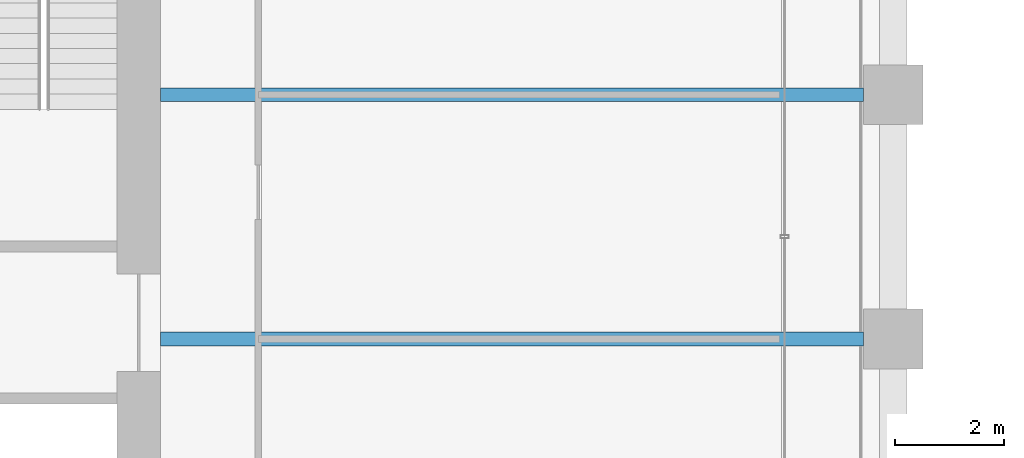
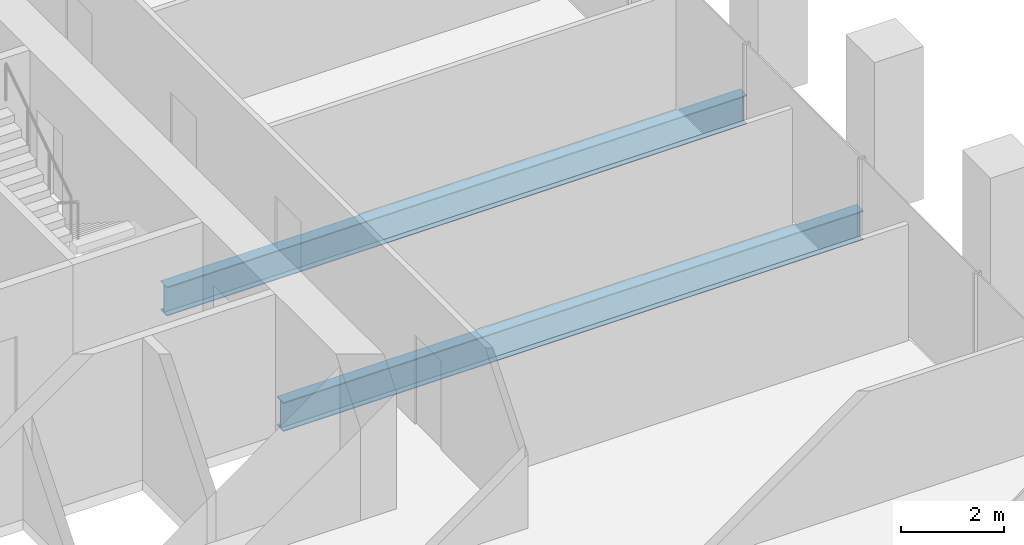
# One storey, part 19 of 56: 2 beams.
"""IFC4 building model written with IfcOpenShell, lengths in metres."""

from ifc_helpers import new_model, si_unit, direction, frame, origin, origin_2d, place, context, subcontext, project, spatial, i_section, extrude, material, material_profile, profile_set, type_object, element, save


model = new_model("IFC4")

# Units and contexts
model_context = context("Model", 3, precision=1e-05, world=origin(), true_north=direction((0.0, 1.0)))
body_context = subcontext(model_context, "Body", "Model", "MODEL_VIEW")
ifc_project = project(units=[si_unit("LENGTHUNIT", "METRE"), si_unit("AREAUNIT", "SQUARE_METRE"), si_unit("VOLUMEUNIT", "CUBIC_METRE"), si_unit("PLANEANGLEUNIT", "RADIAN"), si_unit("MASSUNIT", "GRAM", prefix="KILO")], contexts=[model_context])

# Site, building, storey
site_placement = place(None, origin())
site = spatial("IfcSite", under=ifc_project, at=site_placement, CompositionType="ELEMENT")
building_placement = place(site_placement, origin())
building = spatial("IfcBuilding", under=site, at=building_placement, Name="Altepetl Exchange Towers", CompositionType="ELEMENT")
storey_placement = place(building_placement, frame((0.0, 0.0, 69.0)))
storey = spatial("IfcBuildingStorey", under=building, at=storey_placement, Name="L16", CompositionType="ELEMENT", Elevation=69.0)

# Beams
ifc_material = material(Name="Steel S355", Category="steel")
ifc_material_profile = material_profile(ifc_material, i_section(OverallWidth=0.25390625, OverallDepth=0.68408203125, WebThickness=0.012451171875, FlangeThickness=0.018798828125, at=origin_2d()), Name="W27X94")
ifc_profile_set = profile_set([ifc_material_profile], Name="Steel S355")
beam_type = type_object("IfcBeamType", Name="Floor beam W27X94", PredefinedType="BEAM", material=ifc_profile_set)
for number, where, z_axis, x_axis, name in (
    (1, (58.5, 45.0, -0.491943359375), (1.0, 0.0, 0.0), (0.0, 1.0, 0.0), "bm:A:L16:009"),
    (2, (58.5, 49.5, -0.491943359375), (1.0, 0.0, 0.0), (0.0, 1.0, 0.0), "bm:A:L16:010"),
):
    element("IfcBeam", number, at=place(storey_placement, frame(where, z_axis=z_axis, x_axis=x_axis)), inside=storey, type_object=beam_type, Name=name, PredefinedType="BEAM", context=body_context, shape_type="SweptSolid", body=[
        extrude(i_section(OverallWidth=0.25390625, OverallDepth=0.68408203125, WebThickness=0.012451171875, FlangeThickness=0.018798828125, at=origin_2d()), origin(), (0.0, 0.0, 1.0), 12.949951171875),
    ])

save(model, "model.ifc")
